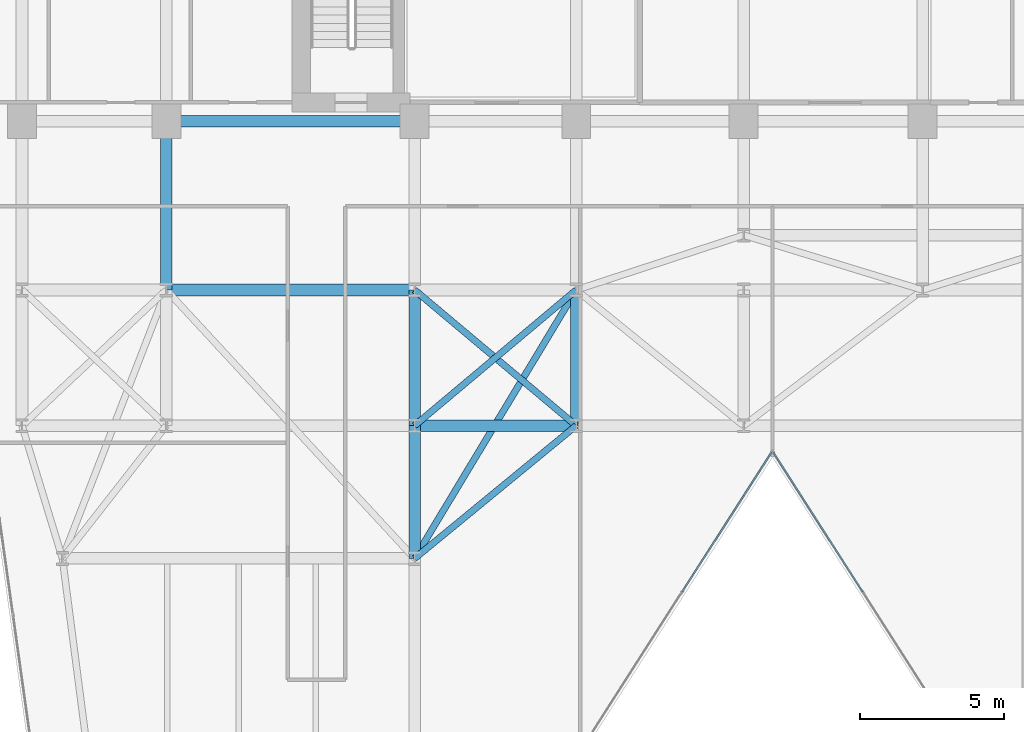
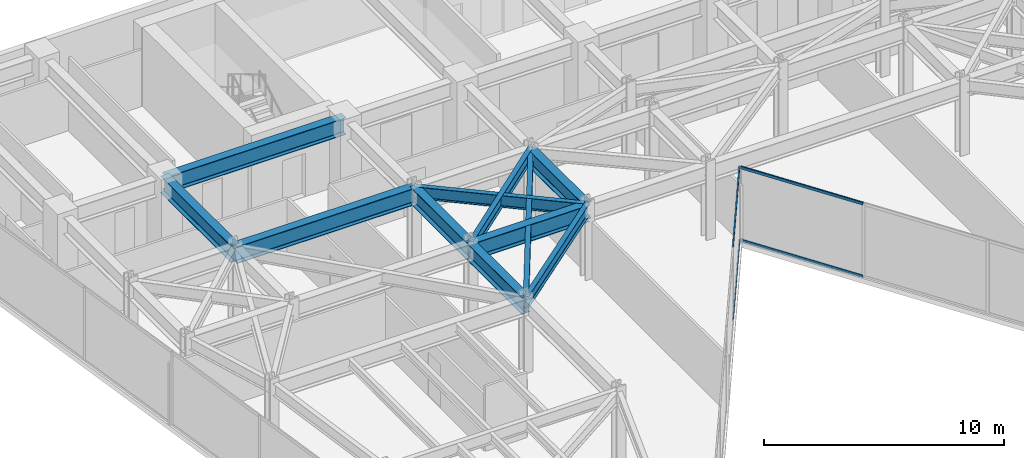
# One storey, part 12 of 26: 11 beams, 4 members, 2 elements without a shape of their own.
"""IFC4 building model written with IfcOpenShell, lengths in metres."""

from ifc_helpers import new_model, si_unit, direction, frame, origin, origin_2d, place, context, subcontext, project, spatial, hollow_rectangle, i_section, extrude, material, layer, layer_set, material_profile, profile_set, type_object, element, aggregate, save


model = new_model("IFC4")

# Units and contexts
model_context = context("Model", 3, precision=1e-05, world=origin(), true_north=direction((0.0, 1.0)))
body_context = subcontext(model_context, "Body", "Model", "MODEL_VIEW")
ifc_project = project(units=[si_unit("LENGTHUNIT", "METRE"), si_unit("AREAUNIT", "SQUARE_METRE"), si_unit("VOLUMEUNIT", "CUBIC_METRE"), si_unit("PLANEANGLEUNIT", "RADIAN"), si_unit("MASSUNIT", "GRAM", prefix="KILO")], contexts=[model_context])

# Site, building, storey
site_placement = place(None, origin())
site = spatial("IfcSite", under=ifc_project, at=site_placement, CompositionType="ELEMENT")
building_placement = place(site_placement, origin())
building = spatial("IfcBuilding", under=site, at=building_placement, Name="Kravanh Interchange Tower", CompositionType="ELEMENT")
storey_placement = place(building_placement, frame((0.0, 0.0, 112.0)))
storey = spatial("IfcBuildingStorey", under=building, at=storey_placement, Name="L26", CompositionType="ELEMENT", Elevation=112.0)

# Curtain wall, members
ifc_material_1 = material(Name="Anodised Bronze Aluminium", Category="aluminium")
ifc_layer = layer(ifc_material_1, 0.179931640625)
ifc_layer_set = layer_set([ifc_layer], Name="Unitised Curtain Wall System CW-Z2 Mid Office")
curtain_wall_type = type_object("IfcCurtainWallType", Name="Unitised Curtain Wall System CW-Z2 Mid Office", PredefinedType="NOTDEFINED", material=ifc_layer_set)
curtain_wall_1_placement = place(storey_placement, origin())
curtain_wall_1 = element("IfcCurtainWall", 1, at=curtain_wall_1_placement, inside=storey, type_object=curtain_wall_type, Name="L26 Unitised Curtain Wall CW-L26-04", PredefinedType="NOTDEFINED")
ifc_material_2 = material(Name="Anodised Bronze Aluminium", Category="aluminium")
ifc_material_profile_1 = material_profile(ifc_material_2, hollow_rectangle(XDim=0.06005859375, YDim=0.139892578125, WallThickness=0.00390625, at=origin_2d()), Name="ALU60X140X4")
ifc_profile_set_1 = profile_set([ifc_material_profile_1], Name="Anodised Bronze Aluminium")
member_type = type_object("IfcMemberType", Name="Curtain Wall Transom ALU60X140X4 Bronze", PredefinedType="USERDEFINED", material=ifc_profile_set_1)
member_1_placement = place(storey_placement, frame((42.72509765625, 21.047119140625, 0.030029296875), z_axis=(-0.53966766312, 0.841878146398, 0.0), x_axis=(-0.841878146398, -0.53966766312, 0.0)))
member_1 = element("IfcMember", 2, at=member_1_placement, type_object=member_type, Name="CW-Z2 transom 4.1", ObjectType="TRANSOM", PredefinedType="USERDEFINED", context=body_context, shape_type="SweptSolid", body=[
    extrude(hollow_rectangle(XDim=0.06005859375, YDim=0.139892578125, WallThickness=0.00390625, at=origin_2d()), origin(), (0.0, 0.0, 1.0), 5.73095703125),
])
member_2_placement = place(storey_placement, frame((42.72509765625, 21.047119140625, 3.719970703125), z_axis=(-0.53966766312, 0.841878146398, 0.0), x_axis=(-0.841878146398, -0.53966766312, 0.0)))
member_2 = element("IfcMember", 3, at=member_2_placement, type_object=member_type, Name="CW-Z2 transom 4.2", ObjectType="TRANSOM", PredefinedType="USERDEFINED", context=body_context, shape_type="SweptSolid", body=[
    extrude(hollow_rectangle(XDim=0.06005859375, YDim=0.139892578125, WallThickness=0.00390625, at=origin_2d()), origin(), (0.0, 0.0, 1.0), 5.73095703125),
])
aggregate(curtain_wall_1, [member_1, member_2])

curtain_wall_2_placement = place(storey_placement, origin())
curtain_wall_2 = element("IfcCurtainWall", 4, at=curtain_wall_2_placement, inside=storey, type_object=curtain_wall_type, Name="L26 Unitised Curtain Wall CW-L26-05", PredefinedType="NOTDEFINED")
member_3_placement = place(storey_placement, frame((39.567626953125, 25.871826171875, 0.030029296875), z_axis=(-0.53966766312, -0.841878146398, 0.0), x_axis=(0.841878146398, -0.53966766312, 0.0)))
member_3 = element("IfcMember", 5, at=member_3_placement, type_object=member_type, Name="CW-Z2 transom 1.1", ObjectType="TRANSOM", PredefinedType="USERDEFINED", context=body_context, shape_type="SweptSolid", body=[
    extrude(hollow_rectangle(XDim=0.06005859375, YDim=0.139892578125, WallThickness=0.00390625, at=origin_2d()), origin(), (0.0, 0.0, 1.0), 5.73095703125),
])
member_4_placement = place(storey_placement, frame((39.567626953125, 25.871826171875, 3.719970703125), z_axis=(-0.53966766312, -0.841878146398, 0.0), x_axis=(0.841878146398, -0.53966766312, 0.0)))
member_4 = element("IfcMember", 6, at=member_4_placement, type_object=member_type, Name="CW-Z2 transom 1.2", ObjectType="TRANSOM", PredefinedType="USERDEFINED", context=body_context, shape_type="SweptSolid", body=[
    extrude(hollow_rectangle(XDim=0.06005859375, YDim=0.139892578125, WallThickness=0.00390625, at=origin_2d()), origin(), (0.0, 0.0, 1.0), 5.73095703125),
])
aggregate(curtain_wall_2, [member_3, member_4])

# Beams
ifc_material_3 = material(Name="Structural Steel S355", Category="steel")
ifc_material_profile_2 = material_profile(ifc_material_3, i_section(OverallWidth=0.39990234375, OverallDepth=0.85595703125, WebThickness=0.018310546875, FlangeThickness=0.029296875, FilletRadius=0.02490234375, at=origin_2d()), Name="W33X201")
ifc_profile_set_2 = profile_set([ifc_material_profile_2], Name="Structural Steel S355")
beam_type_1 = type_object("IfcBeamType", Name="Floor Beam W33X201 Structural Steel S355", PredefinedType="BEAM", material=ifc_profile_set_2)
beam_1_placement = place(storey_placement, frame((27.199951171875, 37.35009765625, 3.322021484375), z_axis=(-1.0, 0.0, 0.0), x_axis=(0.0, -1.0, 0.0)))
element("IfcBeam", 7, at=beam_1_placement, inside=storey, type_object=beam_type_1, Name="L26 Primary Floor Girder 25", PredefinedType="BEAM", context=body_context, shape_type="SweptSolid", body=[
    extrude(i_section(OverallWidth=0.39990234375, OverallDepth=0.85595703125, WebThickness=0.018310546875, FlangeThickness=0.029296875, FilletRadius=0.02490234375, at=origin_2d()), origin(), (0.0, 0.0, 1.0), 8.599853515625),
])
beam_2_placement = place(storey_placement, frame((18.60009765625, 37.35009765625, 3.322021484375), z_axis=(0.0, -1.0, 0.0), x_axis=(1.0, 0.0, 0.0)))
element("IfcBeam", 8, at=beam_2_placement, inside=storey, type_object=beam_type_1, Name="L26 Primary Floor Girder 29", PredefinedType="BEAM", context=body_context, shape_type="SweptSolid", body=[
    extrude(i_section(OverallWidth=0.39990234375, OverallDepth=0.85595703125, WebThickness=0.018310546875, FlangeThickness=0.029296875, FilletRadius=0.02490234375, at=origin_2d()), origin(), (0.0, 0.0, 1.0), 5.85009765625),
])
beam_3_placement = place(storey_placement, frame((27.199951171875, 26.800048828125, 3.322021484375), z_axis=(0.0, -1.0, 0.0), x_axis=(1.0, 0.0, 0.0)))
element("IfcBeam", 9, at=beam_3_placement, inside=storey, type_object=beam_type_1, Name="L26 Primary Floor Girder 45", PredefinedType="BEAM", context=body_context, shape_type="SweptSolid", body=[
    extrude(i_section(OverallWidth=0.39990234375, OverallDepth=0.85595703125, WebThickness=0.018310546875, FlangeThickness=0.029296875, FilletRadius=0.02490234375, at=origin_2d()), origin(), (0.0, 0.0, 1.0), 4.60009765625),
])
beam_4_placement = place(storey_placement, frame((27.199951171875, 26.800048828125, 3.322021484375), z_axis=(0.0, 1.0, 0.0), x_axis=(-1.0, 0.0, 0.0)))
element("IfcBeam", 10, at=beam_4_placement, inside=storey, type_object=beam_type_1, Name="L26 Primary Floor Girder 46", PredefinedType="BEAM", context=body_context, shape_type="SweptSolid", body=[
    extrude(i_section(OverallWidth=0.39990234375, OverallDepth=0.85595703125, WebThickness=0.018310546875, FlangeThickness=0.029296875, FilletRadius=0.02490234375, at=origin_2d()), origin(), (0.0, 0.0, 1.0), 4.699951171875),
])
beam_5_placement = place(storey_placement, frame((27.199951171875, 26.800048828125, 3.322021484375), z_axis=(1.0, 0.0, 0.0), x_axis=(0.0, 1.0, 0.0)))
element("IfcBeam", 11, at=beam_5_placement, inside=storey, type_object=beam_type_1, Name="L26 Primary Floor Girder 47", PredefinedType="BEAM", context=body_context, shape_type="SweptSolid", body=[
    extrude(i_section(OverallWidth=0.39990234375, OverallDepth=0.85595703125, WebThickness=0.018310546875, FlangeThickness=0.029296875, FilletRadius=0.02490234375, at=origin_2d()), origin(), (0.0, 0.0, 1.0), 5.60009765625),
])
beam_6_placement = place(storey_placement, frame((32.800048828125, 26.800048828125, 3.322021484375), z_axis=(0.0, 1.0, 0.0), x_axis=(-1.0, 0.0, 0.0)))
element("IfcBeam", 12, at=beam_6_placement, inside=storey, type_object=beam_type_1, Name="L26 Primary Floor Girder 49", PredefinedType="BEAM", context=body_context, shape_type="SweptSolid", body=[
    extrude(i_section(OverallWidth=0.39990234375, OverallDepth=0.85595703125, WebThickness=0.018310546875, FlangeThickness=0.029296875, FilletRadius=0.02490234375, at=origin_2d()), origin(), (0.0, 0.0, 1.0), 4.699951171875),
])
beam_7_placement = place(storey_placement, frame((18.60009765625, 31.5, 3.322021484375), z_axis=(1.0, 0.0, 0.0), x_axis=(0.0, 1.0, 0.0)))
element("IfcBeam", 13, at=beam_7_placement, inside=storey, type_object=beam_type_1, Name="L26 Primary Floor Girder 71", PredefinedType="BEAM", context=body_context, shape_type="SweptSolid", body=[
    extrude(i_section(OverallWidth=0.39990234375, OverallDepth=0.85595703125, WebThickness=0.018310546875, FlangeThickness=0.029296875, FilletRadius=0.02490234375, at=origin_2d()), origin(), (0.0, 0.0, 1.0), 8.599853515625),
])
ifc_material_4 = material(Name="Structural Steel S355", Category="steel")
ifc_material_profile_3 = material_profile(ifc_material_4, i_section(OverallWidth=0.22802734375, OverallDepth=0.60791015625, WebThickness=0.01123046875, FlangeThickness=0.017333984375, FilletRadius=0.02197265625, at=origin_2d()), Name="W24X76")
ifc_profile_set_3 = profile_set([ifc_material_profile_3], Name="Structural Steel S355")
beam_type_2 = type_object("IfcBeamType", Name="Floor Spandrel W24X76 Structural Steel S355", PredefinedType="SPANDREL", material=ifc_profile_set_3)
beam_8_placement = place(storey_placement, frame((27.199951171875, 26.800048828125, 3.446044921875), z_axis=(0.765983062929, 0.642860752657, 0.0), x_axis=(-0.642860752657, 0.765983062929, 0.0)))
element("IfcBeam", 14, at=beam_8_placement, inside=storey, type_object=beam_type_2, Name="L26 Perimeter Spandrel 48", PredefinedType="SPANDREL", context=body_context, shape_type="SweptSolid", body=[
    extrude(i_section(OverallWidth=0.22802734375, OverallDepth=0.60791015625, WebThickness=0.01123046875, FlangeThickness=0.017333984375, FilletRadius=0.02197265625, at=origin_2d()), origin(), (0.0, 0.0, 1.0), 7.31103515625),
])
beam_9_placement = place(storey_placement, frame((32.800048828125, 26.800048828125, 3.446044921875), z_axis=(-0.772725074305, -0.634740860147, 0.0), x_axis=(0.634740860147, -0.772725074305, 0.0)))
element("IfcBeam", 15, at=beam_9_placement, inside=storey, type_object=beam_type_2, Name="L26 Perimeter Spandrel 51", PredefinedType="SPANDREL", context=body_context, shape_type="SweptSolid", body=[
    extrude(i_section(OverallWidth=0.22802734375, OverallDepth=0.60791015625, WebThickness=0.01123046875, FlangeThickness=0.017333984375, FilletRadius=0.02197265625, at=origin_2d()), origin(), (0.0, 0.0, 1.0), 7.247314453125),
])
beam_10_placement = place(storey_placement, frame((32.800048828125, 26.800048828125, 3.446044921875), z_axis=(-0.765983062929, 0.642860752657, 0.0), x_axis=(-0.642860752657, -0.765983062929, 0.0)))
element("IfcBeam", 16, at=beam_10_placement, inside=storey, type_object=beam_type_2, Name="L26 Perimeter Spandrel 52", PredefinedType="SPANDREL", context=body_context, shape_type="SweptSolid", body=[
    extrude(i_section(OverallWidth=0.22802734375, OverallDepth=0.60791015625, WebThickness=0.01123046875, FlangeThickness=0.017333984375, FilletRadius=0.02197265625, at=origin_2d()), origin(), (0.0, 0.0, 1.0), 7.31103515625),
])
beam_11_placement = place(storey_placement, frame((32.800048828125, 31.5, 3.446044921875), z_axis=(-0.515854375109, -0.856676288735, 0.0), x_axis=(0.856676288735, -0.515854375109, 0.0)))
element("IfcBeam", 17, at=beam_11_placement, inside=storey, type_object=beam_type_2, Name="L26 Perimeter Spandrel 80", PredefinedType="SPANDREL", context=body_context, shape_type="SweptSolid", body=[
    extrude(i_section(OverallWidth=0.22802734375, OverallDepth=0.60791015625, WebThickness=0.01123046875, FlangeThickness=0.017333984375, FilletRadius=0.02197265625, at=origin_2d()), origin(), (0.0, 0.0, 1.0), 10.85595703125),
])

save(model, "model.ifc")
